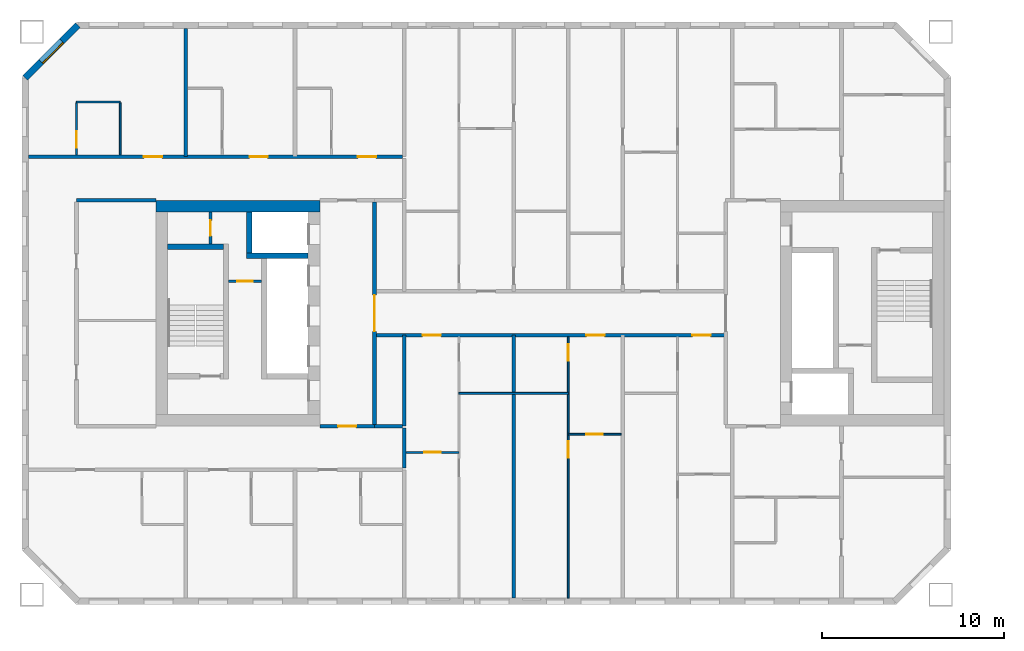
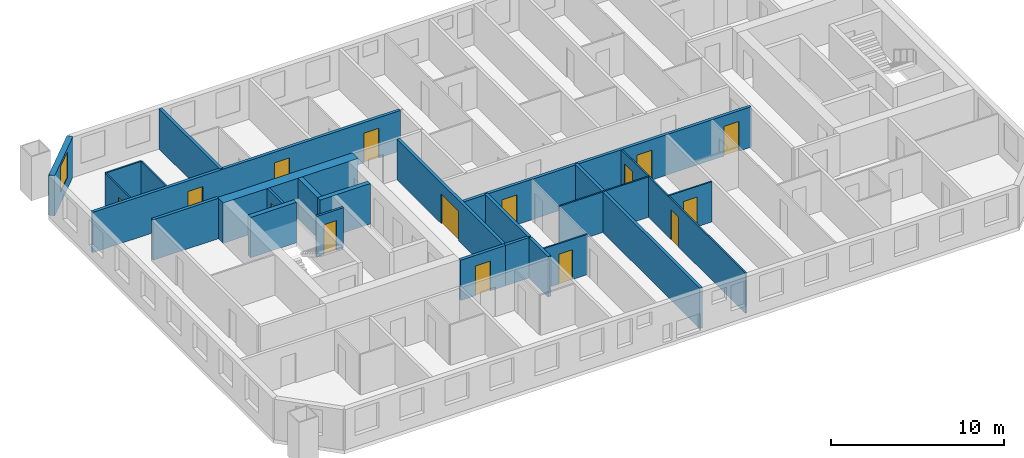
# One storey, part 4 of 16: 24 walls, 15 doors, 1 window, 16 openings.
"""IFC4 building model written with IfcOpenShell, lengths in metres."""

import ifcopenshell
import ifcopenshell.guid

model = None  # the IFC model being written
_history = None  # IfcOwnerHistory: only IFC2X3 demands one
_inside = {}  # id of a spatial element -> (the spatial element, [elements in it])
_under = {}  # id of a project, library or spatial element -> (it, [spatial elements below it])
_declared = {}  # id of a project -> (the project, [libraries it declares])
_typed = {}  # id of a type object -> (the type object, [elements of that type])
_made_of = {}  # id of a material, layer set ... -> (it, [elements and type objects made of it])


def new_model(schema):
    """Start an empty IFC model of exactly this schema.

    Asked for "IFC4X3", IfcOpenShell would pick the latest addendum, in which some entities
    have other attributes; the version numbers below select the first issue.
    IFC2X3 requires an IfcOwnerHistory on every rooted entity: one is made here for all.
    """
    global model, _history
    if schema == "IFC4X3":
        model = ifcopenshell.file(schema_version=(4, 3, 0, 0))
    else:
        model = ifcopenshell.file(schema=schema)
    _inside.clear()
    _under.clear()
    _declared.clear()
    _typed.clear()
    _made_of.clear()
    _history = None
    if model.schema == "IFC2X3":
        org = make("IfcOrganization", Name="unknown")
        user = make(
            "IfcPersonAndOrganization",
            ThePerson=make("IfcPerson", FamilyName="unknown"),
            TheOrganization=org,
        )
        app = make(
            "IfcApplication",
            ApplicationDeveloper=org,
            Version="unknown",
            ApplicationFullName="unknown",
            ApplicationIdentifier="unknown",
        )
        _history = make(
            "IfcOwnerHistory",
            OwningUser=user,
            OwningApplication=app,
            ChangeAction="ADDED",
            CreationDate=0,
        )
    return model


def make(cls, **values):
    """One entity of the class cls with the attributes given. An attribute that is None is left unset."""
    return model.create_entity(
        cls, **{name: value for name, value in values.items() if value is not None}
    )


def rooted(cls, **values):
    """An entity with a GlobalId (a new one), such as an element, a storey or a relation."""
    return make(cls, GlobalId=ifcopenshell.guid.new(), OwnerHistory=_history, **values)


def si_unit(unit_type, name, prefix=None):
    """IfcSIUnit, for example si_unit("LENGTHUNIT", "METRE", prefix="MILLI")."""
    return make("IfcSIUnit", UnitType=unit_type, Prefix=prefix, Name=name)


def assignment(units):
    """IfcUnitAssignment: the units of a project."""
    return None if units is None else make("IfcUnitAssignment", Units=units)


def point(xyz):
    """IfcCartesianPoint."""
    return None if xyz is None else make("IfcCartesianPoint", Coordinates=xyz)


def direction(xyz):
    """IfcDirection."""
    return None if xyz is None else make("IfcDirection", DirectionRatios=xyz)


def frame(location, z_axis=None, x_axis=None):
    """IfcAxis2Placement3D, a coordinate frame: its origin and axes. An axis left out is left unset."""
    return make(
        "IfcAxis2Placement3D",
        Location=point(location),
        Axis=direction(z_axis),
        RefDirection=direction(x_axis),
    )


def frame_2d(location, x_axis=None):
    """IfcAxis2Placement2D, a coordinate frame in the plane: its origin and x axis."""
    return make(
        "IfcAxis2Placement2D", Location=point(location), RefDirection=direction(x_axis)
    )


def origin():
    """The frame at (0, 0, 0) with its axes left unset."""
    return frame((0.0, 0.0, 0.0))


def place(relative_to, where):
    """IfcLocalPlacement: puts the frame where relative to a parent placement (None: the world)."""
    return make(
        "IfcLocalPlacement", PlacementRelTo=relative_to, RelativePlacement=where
    )


def context(
    kind, dimensions, precision=None, world=None, true_north=None, identifier=None
):
    """IfcGeometricRepresentationContext, for example the 3D "Model" context."""
    return make(
        "IfcGeometricRepresentationContext",
        ContextIdentifier=identifier,
        ContextType=kind,
        CoordinateSpaceDimension=dimensions,
        Precision=precision,
        WorldCoordinateSystem=world,
        TrueNorth=true_north,
    )


def subcontext(parent, identifier, kind, view, scale=None):
    """IfcGeometricRepresentationSubContext, for example "Body" below "Model"."""
    return make(
        "IfcGeometricRepresentationSubContext",
        ContextIdentifier=identifier,
        ContextType=kind,
        ParentContext=parent,
        TargetScale=scale,
        TargetView=view,
    )


def project(units=None, contexts=None):
    """IfcProject with its units and contexts."""
    return rooted(
        "IfcProject",
        Name="project",
        RepresentationContexts=contexts,
        UnitsInContext=assignment(units),
    )


def spatial(cls, under=None, at=None, **own):
    """A site, building, storey or space (cls), placed at a placement, below another one or the project."""
    s = rooted(cls, ObjectPlacement=at, **own)
    if under is not None:
        _under.setdefault(under.id(), (under, []))[1].append(s)
    return s


def profile(cls, at=None, kind="AREA", **sizes):
    """A parametric profile (cls). Its sizes go by their IFC names, for example OverallWidth=200.0."""
    return make(cls, ProfileType=kind, Position=at, **sizes)


def rectangle(**sizes):
    """IfcRectangleProfileDef."""
    return profile("IfcRectangleProfileDef", **sizes)


def extrude(swept, where, along, depth):
    """IfcExtrudedAreaSolid: the profile swept, set in the frame where, extruded along a direction by depth."""
    return make(
        "IfcExtrudedAreaSolid",
        SweptArea=swept,
        Position=where,
        ExtrudedDirection=direction(along),
        Depth=depth,
    )


def shape(context_of_items, identifier, shape_type, items):
    """IfcShapeRepresentation: the items that make up one representation, for example the "Body"."""
    return make(
        "IfcShapeRepresentation",
        ContextOfItems=context_of_items,
        RepresentationIdentifier=identifier,
        RepresentationType=shape_type,
        Items=items,
    )


def material(Name=None, Category=None):
    """IfcMaterial."""
    return make("IfcMaterial", Name=Name, Category=Category)


def layer(
    of_material, thickness, ventilated=None, Name=None, Category=None, Priority=None
):
    """IfcMaterialLayer: one layer of a wall or slab, of a material (None: an air gap)."""
    return make(
        "IfcMaterialLayer",
        Material=of_material,
        LayerThickness=thickness,
        IsVentilated=ventilated,
        Name=Name,
        Category=Category,
        Priority=Priority,
    )


def layer_set(layers, Name=None):
    """IfcMaterialLayerSet."""
    return make("IfcMaterialLayerSet", MaterialLayers=layers, LayerSetName=Name)


def made_of(thing, what):
    """Note that an element or type object is made of a material, layer set ...; save() writes the relation."""
    if what is not None:
        _made_of.setdefault(what.id(), (what, []))[1].append(thing)
    return thing


def type_object(cls, material=None, **own):
    """A type object (cls), such as IfcWallType, which elements share."""
    return made_of(rooted(cls, **own), material)


def element(
    cls,
    number,
    at=None,
    inside=None,
    cuts=None,
    type_object=None,
    material=None,
    context=None,
    identifier="Body",
    shape_type=None,
    held_by="IfcProductDefinitionShape",
    body=None,
    shapes=None,
    **own,
):
    """One element of the class cls, such as IfcWall. Its Tag is "e" and its number.

    at: its placement. inside: the storey or other place that contains it. cuts: it is an
    opening in that element (IfcRelVoidsElement). A single representation is given by context,
    identifier, shape_type and body (its items); several are given by shapes. held_by: the class
    of the entity that holds the representations. save() writes the other relations.
    """
    e = rooted(cls, Tag="e%d" % number, ObjectPlacement=at, **own)
    if body is not None:
        shapes = [shape(context, identifier, shape_type, body)]
    if shapes is not None:
        e.Representation = make(held_by, Representations=shapes)
    if inside is not None:
        _inside.setdefault(inside.id(), (inside, []))[1].append(e)
    if cuts is not None:
        rooted(
            "IfcRelVoidsElement", RelatingBuildingElement=cuts, RelatedOpeningElement=e
        )
    if type_object is not None:
        _typed.setdefault(type_object.id(), (type_object, []))[1].append(e)
    return made_of(e, material)


def fill(opening, filler):
    """IfcRelFillsElement: the door or window that sits in an opening."""
    return rooted(
        "IfcRelFillsElement",
        RelatingOpeningElement=opening,
        RelatedBuildingElement=filler,
    )


def aggregate(whole, parts):
    """IfcRelAggregates: a whole, such as a stair, and the parts it consists of."""
    return rooted("IfcRelAggregates", RelatingObject=whole, RelatedObjects=parts)


def save(model, path):
    """Write the relations noted so far, then the file.

    IfcRelAggregates (storeys below a building ...), IfcRelContainedInSpatialStructure (elements
    in a storey), IfcRelDefinesByType, IfcRelAssociatesMaterial and IfcRelDeclares: one each for
    every whole, place, type object, material and project.
    """
    for whole, parts in _under.values():
        aggregate(whole, parts)
    for where, things in _inside.values():
        rooted(
            "IfcRelContainedInSpatialStructure",
            RelatedElements=things,
            RelatingStructure=where,
        )
    for kind, things in _typed.values():
        rooted("IfcRelDefinesByType", RelatedObjects=things, RelatingType=kind)
    for what, things in _made_of.values():
        rooted("IfcRelAssociatesMaterial", RelatedObjects=things, RelatingMaterial=what)
    for by, libraries in _declared.values():
        rooted("IfcRelDeclares", RelatingContext=by, RelatedDefinitions=libraries)
    model.write(path)


model = new_model("IFC4")

# Units and contexts
model_context = context("Model", 3, precision=1e-05, world=origin(), true_north=direction((0.0, 1.0)))
body_context = subcontext(model_context, "Body", "Model", "MODEL_VIEW")
ifc_project = project(units=[si_unit("LENGTHUNIT", "METRE"), si_unit("AREAUNIT", "SQUARE_METRE"), si_unit("VOLUMEUNIT", "CUBIC_METRE"), si_unit("PLANEANGLEUNIT", "RADIAN"), si_unit("MASSUNIT", "GRAM", prefix="KILO")], contexts=[model_context])

# Site, building, storey
site_placement = place(None, origin())
site = spatial("IfcSite", under=ifc_project, at=site_placement, CompositionType="ELEMENT")
building_placement = place(site_placement, origin())
building = spatial("IfcBuilding", under=site, at=building_placement, Name="Tuart Gate Housing", CompositionType="ELEMENT")
storey_placement = place(building_placement, frame((0.0, 0.0, 111.89990234375)))
storey = spatial("IfcBuildingStorey", under=building, at=storey_placement, Name="L31", CompositionType="ELEMENT", Elevation=111.89990234375)

# Wall, opening, window
ifc_material_1 = material(Name="Brick", Category="masonry")
ifc_layer_1 = layer(ifc_material_1, 0.360107421875)
ifc_layer_set_1 = layer_set([ifc_layer_1], Name="Brick pier and spandrel wall 360")
wall_type_1 = type_object("IfcWallType", Name="Brick pier and spandrel wall 360", PredefinedType="STANDARD", material=ifc_layer_set_1)
wall_1_placement = place(storey_placement, frame((28.07470703125, 85.820068359375, 0.0), z_axis=(0.0, 0.0, 1.0), x_axis=(-0.707106781187, -0.707106781187, 0.0)))
wall_1 = element("IfcWall", 1, at=wall_1_placement, inside=storey, type_object=wall_type_1, Name="External wall A-NW L31", PredefinedType="STANDARD", context=body_context, shape_type="SweptSolid", body=[
    extrude(rectangle(XDim=4.09375, YDim=0.360107421875, at=frame_2d((2.046875, 0.0))), origin(), (0.0, 0.0, 1.0), 2.85009765625),
])
opening_1_placement = place(wall_1_placement, frame((1.2470703125, 0.0, 0.800048828125)))
opening_1 = element("IfcOpeningElement", 2, at=opening_1_placement, cuts=wall_1, Name="Opening W1", PredefinedType="OPENING", context=body_context, shape_type="SweptSolid", body=[
    extrude(rectangle(XDim=1.60009765625, YDim=1.800048828125, at=frame_2d((0.800048828125, 0.89990234375))), frame((0.0, 0.18994140625, 0.0), z_axis=(0.0, -1.0, 0.0), x_axis=(1.0, 0.0, 0.0)), (0.0, 0.0, 1.0), 0.380126953125),
])
ifc_material_2 = material(Name="Aluminium frame with clear glass", Category="aluminium")
window_type = type_object("IfcWindowType", Name="Punched window 1600 x 1800", PartitioningType="SINGLE_PANEL", PredefinedType="WINDOW", material=ifc_material_2)
window_placement = place(opening_1_placement, origin())
window = element("IfcWindow", 3, at=window_placement, inside=storey, type_object=window_type, Name="Window W1", OverallHeight=1.800048828125, OverallWidth=1.60009765625, PartitioningType="SINGLE_PANEL", PredefinedType="WINDOW", context=body_context, shape_type="SweptSolid", body=[
    extrude(rectangle(XDim=1.60009765625, YDim=1.800048828125, at=frame_2d((0.800048828125, 0.89990234375))), frame((0.0, 0.150146484375, 0.0), z_axis=(0.0, -1.0, 0.0), x_axis=(1.0, 0.0, 0.0)), (0.0, 0.0, 1.0), 0.06005859375),
])
fill(opening_1, window)

# Wall, opening, door
ifc_material_3 = material(Name="Plasterboard partition")
ifc_layer_2 = layer(ifc_material_3, 0.14990234375)
ifc_layer_set_2 = layer_set([ifc_layer_2], Name="Core partition 150")
wall_type_2 = type_object("IfcWallType", Name="Core partition 150", PredefinedType="PARTITIONING", material=ifc_layer_set_2)
wall_2_placement = place(storey_placement, frame((38.159912109375, 71.75, 0.0), z_axis=(0.0, 0.0, 1.0), x_axis=(-1.0, 0.0, 0.0)))
wall_2 = element("IfcWall", 4, at=wall_2_placement, inside=storey, type_object=wall_type_2, Name="Core partition AK.3", PredefinedType="PARTITIONING", context=body_context, shape_type="SweptSolid", body=[
    extrude(rectangle(XDim=1.7998046875, YDim=0.14990234375, at=frame_2d((0.89990234375, 0.0))), origin(), (0.0, 0.0, 1.0), 2.85009765625),
])
opening_2_placement = place(wall_2_placement, frame((0.47509765625, 0.0, 0.0)))
opening_2 = element("IfcOpeningElement", 5, at=opening_2_placement, cuts=wall_2, Name="Opening D1202", PredefinedType="OPENING", context=body_context, shape_type="SweptSolid", body=[
    extrude(rectangle(XDim=0.85009765625, YDim=2.10009765625, at=frame_2d((0.425048828125, 1.050048828125))), frame((0.0, 0.0849609375, 0.0), z_axis=(0.0, -1.0, 0.0), x_axis=(1.0, 0.0, 0.0)), (0.0, 0.0, 1.0), 0.169921875),
])
ifc_material_4 = material(Name="Steel fire door", Category="steel")
door_type_1 = type_object("IfcDoorType", Name="Riser door 850 x 2100 RH", OperationType="SINGLE_SWING_RIGHT", PredefinedType="DOOR", material=ifc_material_4)
door_1_placement = place(opening_2_placement, frame((0.85009765625, 0.0, 0.0), z_axis=(0.0, 0.0, 1.0), x_axis=(-1.0, 0.0, 0.0)))
door_1 = element("IfcDoor", 6, at=door_1_placement, inside=storey, type_object=door_type_1, Name="Service room door AK.E1", OperationType="SINGLE_SWING_RIGHT", OverallHeight=2.10009765625, OverallWidth=0.85009765625, PredefinedType="DOOR", context=body_context, shape_type="SweptSolid", body=[
    extrude(rectangle(XDim=0.85009765625, YDim=2.10009765625, at=frame_2d((0.425048828125, 1.050048828125))), frame((0.0, 0.025146484375, 0.0), z_axis=(0.0, -1.0, 0.0), x_axis=(1.0, 0.0, 0.0)), (0.0, 0.0, 1.0), 0.050048828125),
])
fill(opening_2, door_1)

wall_3_placement = place(storey_placement, frame((35.360107421875, 75.550048828125, 0.0), z_axis=(0.0, 0.0, 1.0), x_axis=(0.0, -1.0, 0.0)))
wall_3 = element("IfcWall", 7, at=wall_3_placement, inside=storey, type_object=wall_type_2, Name="Core partition AK.9", PredefinedType="PARTITIONING", context=body_context, shape_type="SweptSolid", body=[
    extrude(rectangle(XDim=1.75, YDim=0.14990234375, at=frame_2d((0.875, 0.0))), origin(), (0.0, 0.0, 1.0), 2.85009765625),
])
opening_3_placement = place(wall_3_placement, frame((0.449951171875, 0.0, 0.0)))
opening_3 = element("IfcOpeningElement", 8, at=opening_3_placement, cuts=wall_3, Name="Opening D1200", PredefinedType="OPENING", context=body_context, shape_type="SweptSolid", body=[
    extrude(rectangle(XDim=0.85009765625, YDim=2.10009765625, at=frame_2d((0.425048828125, 1.050048828125))), frame((0.0, 0.0849609375, 0.0), z_axis=(0.0, -1.0, 0.0), x_axis=(1.0, 0.0, 0.0)), (0.0, 0.0, 1.0), 0.169921875),
])
ifc_material_5 = material(Name="Steel fire door", Category="steel")
door_type_2 = type_object("IfcDoorType", Name="Service door 850 x 2100", OperationType="SINGLE_SWING_LEFT", PredefinedType="DOOR", material=ifc_material_5)
door_2_placement = place(opening_3_placement, origin())
door_2 = element("IfcDoor", 9, at=door_2_placement, inside=storey, type_object=door_type_2, Name="Service room door AK.E2", OperationType="SINGLE_SWING_LEFT", OverallHeight=2.10009765625, OverallWidth=0.85009765625, PredefinedType="DOOR", context=body_context, shape_type="SweptSolid", body=[
    extrude(rectangle(XDim=0.85009765625, YDim=2.10009765625, at=frame_2d((0.425048828125, 1.050048828125))), frame((0.0, 0.02490234375, 0.0), z_axis=(0.0, -1.0, 0.0), x_axis=(1.0, 0.0, 0.0)), (0.0, 0.0, 1.0), 0.050048828125),
])
fill(opening_3, door_2)

# Walls
ifc_material_6 = material(Name="Concrete C50", Category="concrete")
ifc_layer_3 = layer(ifc_material_6, 0.300048828125)
ifc_layer_set_3 = layer_set([ifc_layer_3], Name="Core wall 300 C50")
wall_type_3 = type_object("IfcWallType", Name="Core wall 300 C50", PredefinedType="SHEAR", material=ifc_layer_set_3)
wall_4_placement = place(storey_placement, frame((36.06005859375, 73.64990234375, 0.0), z_axis=(0.0, 0.0, 1.0), x_axis=(-1.0, 0.0, 0.0)))
element("IfcWall", 10, at=wall_4_placement, inside=storey, type_object=wall_type_3, Name="Core wall AK.1", PredefinedType="SHEAR", context=body_context, shape_type="SweptSolid", body=[
    extrude(rectangle(XDim=3.050048828125, YDim=0.300048828125, at=frame_2d((1.52490234375, 0.0))), origin(), (0.0, 0.0, 1.0), 2.85009765625),
])
wall_5_placement = place(storey_placement, frame((40.7099609375, 73.14990234375, 0.0), z_axis=(0.0, 0.0, 1.0), x_axis=(-1.0, 0.0, 0.0)))
element("IfcWall", 11, at=wall_5_placement, inside=storey, type_object=wall_type_3, Name="Core wall AK.2", PredefinedType="SHEAR", context=body_context, shape_type="SweptSolid", body=[
    extrude(rectangle(XDim=3.369873046875, YDim=0.300048828125, at=frame_2d((1.68505859375, 0.0))), origin(), (0.0, 0.0, 1.0), 2.85009765625),
])
wall_6_placement = place(storey_placement, frame((37.489990234375, 75.550048828125, 0.0), z_axis=(0.0, 0.0, 1.0), x_axis=(0.0, -1.0, 0.0)))
element("IfcWall", 12, at=wall_6_placement, inside=storey, type_object=wall_type_3, Name="Core wall AK.7", PredefinedType="SHEAR", context=body_context, shape_type="SweptSolid", body=[
    extrude(rectangle(XDim=2.25, YDim=0.300048828125, at=frame_2d((1.125, 0.0))), origin(), (0.0, 0.0, 1.0), 2.85009765625),
])
ifc_material_7 = material(Name="Concrete C50", Category="concrete")
ifc_layer_4 = layer(ifc_material_7, 0.64990234375)
ifc_layer_set_4 = layer_set([ifc_layer_4], Name="Core wall 650 C50")
wall_type_4 = type_object("IfcWallType", Name="Core wall 650 C50", PredefinedType="SHEAR", material=ifc_layer_set_4)
wall_7_placement = place(storey_placement, frame((41.360107421875, 75.875, 0.0), z_axis=(0.0, 0.0, 1.0), x_axis=(-1.0, 0.0, 0.0)))
element("IfcWall", 13, at=wall_7_placement, inside=storey, type_object=wall_type_4, Name="Core wall AK south", PredefinedType="SHEAR", context=body_context, shape_type="SweptSolid", body=[
    extrude(rectangle(XDim=9.0, YDim=0.64990234375, at=frame_2d((4.5, 0.0))), origin(), (0.0, 0.0, 1.0), 2.85009765625),
])
ifc_material_8 = material(Name="Concrete masonry 15 MPa", Category="masonry")
ifc_layer_5 = layer(ifc_material_8, 0.199951171875)
ifc_layer_set_5 = layer_set([ifc_layer_5], Name="Corridor wall masonry 200")
wall_type_5 = type_object("IfcWallType", Name="Corridor wall masonry 200", PredefinedType="PARTITIONING", material=ifc_layer_set_5)
wall_8_placement = place(storey_placement, frame((44.360107421875, 63.800048828125, 0.0), z_axis=(0.0, 0.0, 1.0), x_axis=(1.0, 0.0, 0.0)))
element("IfcWall", 14, at=wall_8_placement, inside=storey, type_object=wall_type_5, Name="Corridor wall masonry 200", PredefinedType="PARTITIONING", context=body_context, shape_type="SweptSolid", body=[
    extrude(rectangle(XDim=1.539794921875, YDim=0.199951171875, at=frame_2d((0.77001953125, 0.0))), origin(), (0.0, 0.0, 1.0), 2.85009765625),
])

# Wall, openings, doors
wall_9_placement = place(storey_placement, frame((44.360107421875, 68.800048828125, 0.0), z_axis=(0.0, 0.0, 1.0), x_axis=(1.0, 0.0, 0.0)))
wall_9 = element("IfcWall", 15, at=wall_9_placement, inside=storey, type_object=wall_type_5, Name="Corridor wall masonry 200", PredefinedType="PARTITIONING", context=body_context, shape_type="SweptSolid", body=[
    extrude(rectangle(XDim=19.27978515625, YDim=0.199951171875, at=frame_2d((9.639892578125, 0.0))), origin(), (0.0, 0.0, 1.0), 2.85009765625),
])
opening_4_placement = place(wall_9_placement, frame((17.4599609375, 0.0, 0.0)))
opening_4 = element("IfcOpeningElement", 16, at=opening_4_placement, cuts=wall_9, Name="Opening D1211", PredefinedType="OPENING", context=body_context, shape_type="SweptSolid", body=[
    extrude(rectangle(XDim=1.0, YDim=2.10009765625, at=frame_2d((0.5, 1.050048828125))), frame((0.0, 0.10986328125, 0.0), z_axis=(0.0, -1.0, 0.0), x_axis=(1.0, 0.0, 0.0)), (0.0, 0.0, 1.0), 0.219970703125),
])
opening_5_placement = place(wall_9_placement, frame((11.639892578125, 0.0, 0.0)))
opening_5 = element("IfcOpeningElement", 17, at=opening_5_placement, cuts=wall_9, Name="Opening D1212", PredefinedType="OPENING", context=body_context, shape_type="SweptSolid", body=[
    extrude(rectangle(XDim=1.0, YDim=2.10009765625, at=frame_2d((0.5, 1.050048828125))), frame((0.0, 0.10986328125, 0.0), z_axis=(0.0, -1.0, 0.0), x_axis=(1.0, 0.0, 0.0)), (0.0, 0.0, 1.0), 0.219970703125),
])
opening_6_placement = place(wall_9_placement, frame((2.639892578125, 0.0, 0.0)))
opening_6 = element("IfcOpeningElement", 18, at=opening_6_placement, cuts=wall_9, Name="Opening D1213", PredefinedType="OPENING", context=body_context, shape_type="SweptSolid", body=[
    extrude(rectangle(XDim=1.0, YDim=2.10009765625, at=frame_2d((0.5, 1.050048828125))), frame((0.0, 0.10986328125, 0.0), z_axis=(0.0, -1.0, 0.0), x_axis=(1.0, 0.0, 0.0)), (0.0, 0.0, 1.0), 0.219970703125),
])
ifc_material_9 = material(Name="Timber door leaf in steel frame", Category="steel")
door_type_3 = type_object("IfcDoorType", Name="Flat entrance door 1000 RH", OperationType="SINGLE_SWING_RIGHT", PredefinedType="DOOR", material=ifc_material_9)
door_3_placement = place(opening_4_placement, frame((1.0, 0.0, 0.0), z_axis=(0.0, 0.0, 1.0), x_axis=(-1.0, 0.0, 0.0)))
door_3 = element("IfcDoor", 19, at=door_3_placement, inside=storey, type_object=door_type_3, Name="Flat entrance door", OperationType="SINGLE_SWING_RIGHT", OverallHeight=2.10009765625, OverallWidth=1.0, PredefinedType="DOOR", context=body_context, shape_type="SweptSolid", body=[
    extrude(rectangle(XDim=1.0, YDim=2.10009765625, at=frame_2d((0.5, 1.050048828125))), frame((0.0, 0.025146484375, 0.0), z_axis=(0.0, -1.0, 0.0), x_axis=(1.0, 0.0, 0.0)), (0.0, 0.0, 1.0), 0.050048828125),
])
fill(opening_4, door_3)
door_4_placement = place(opening_5_placement, frame((1.0, 0.0, 0.0), z_axis=(0.0, 0.0, 1.0), x_axis=(-1.0, 0.0, 0.0)))
door_4 = element("IfcDoor", 20, at=door_4_placement, inside=storey, type_object=door_type_3, Name="Flat entrance door", OperationType="SINGLE_SWING_RIGHT", OverallHeight=2.10009765625, OverallWidth=1.0, PredefinedType="DOOR", context=body_context, shape_type="SweptSolid", body=[
    extrude(rectangle(XDim=1.0, YDim=2.10009765625, at=frame_2d((0.5, 1.050048828125))), frame((0.0, 0.025146484375, 0.0), z_axis=(0.0, -1.0, 0.0), x_axis=(1.0, 0.0, 0.0)), (0.0, 0.0, 1.0), 0.050048828125),
])
fill(opening_5, door_4)
door_5_placement = place(opening_6_placement, frame((1.0, 0.0, 0.0), z_axis=(0.0, 0.0, 1.0), x_axis=(-1.0, 0.0, 0.0)))
door_5 = element("IfcDoor", 21, at=door_5_placement, inside=storey, type_object=door_type_3, Name="Flat entrance door", OperationType="SINGLE_SWING_RIGHT", OverallHeight=2.10009765625, OverallWidth=1.0, PredefinedType="DOOR", context=body_context, shape_type="SweptSolid", body=[
    extrude(rectangle(XDim=1.0, YDim=2.10009765625, at=frame_2d((0.5, 1.050048828125))), frame((0.0, 0.025146484375, 0.0), z_axis=(0.0, -1.0, 0.0), x_axis=(1.0, 0.0, 0.0)), (0.0, 0.0, 1.0), 0.050048828125),
])
fill(opening_6, door_5)

# Wall
wall_10_placement = place(storey_placement, frame((28.0, 76.199951171875, 0.0), z_axis=(0.0, 0.0, 1.0), x_axis=(1.0, 0.0, 0.0)))
element("IfcWall", 22, at=wall_10_placement, inside=storey, type_object=wall_type_5, Name="Corridor wall masonry 200", PredefinedType="PARTITIONING", context=body_context, shape_type="SweptSolid", body=[
    extrude(rectangle(XDim=4.360107421875, YDim=0.199951171875, at=frame_2d((2.18017578125, 0.0))), origin(), (0.0, 0.0, 1.0), 2.85009765625),
])

# Wall, openings, doors
wall_11_placement = place(storey_placement, frame((25.360107421875, 78.60009765625, 0.0), z_axis=(0.0, 0.0, 1.0), x_axis=(1.0, 0.0, 0.0)))
wall_11 = element("IfcWall", 23, at=wall_11_placement, inside=storey, type_object=wall_type_5, Name="Corridor wall masonry 200", PredefinedType="PARTITIONING", context=body_context, shape_type="SweptSolid", body=[
    extrude(rectangle(XDim=20.539794921875, YDim=0.199951171875, at=frame_2d((10.27001953125, 0.0))), origin(), (0.0, 0.0, 1.0), 2.85009765625),
])
opening_7_placement = place(wall_11_placement, frame((18.090087890625, 0.0, 0.0)))
opening_7 = element("IfcOpeningElement", 24, at=opening_7_placement, cuts=wall_11, Name="Opening D1187", PredefinedType="OPENING", context=body_context, shape_type="SweptSolid", body=[
    extrude(rectangle(XDim=1.0, YDim=2.10009765625, at=frame_2d((0.5, 1.050048828125))), frame((0.0, 0.10986328125, 0.0), z_axis=(0.0, -1.0, 0.0), x_axis=(1.0, 0.0, 0.0)), (0.0, 0.0, 1.0), 0.219970703125),
])
opening_8_placement = place(wall_11_placement, frame((12.139892578125, 0.0, 0.0)))
opening_8 = element("IfcOpeningElement", 25, at=opening_8_placement, cuts=wall_11, Name="Opening D1188", PredefinedType="OPENING", context=body_context, shape_type="SweptSolid", body=[
    extrude(rectangle(XDim=1.0, YDim=2.10009765625, at=frame_2d((0.5, 1.050048828125))), frame((0.0, 0.10986328125, 0.0), z_axis=(0.0, -1.0, 0.0), x_axis=(1.0, 0.0, 0.0)), (0.0, 0.0, 1.0), 0.219970703125),
])
opening_9_placement = place(wall_11_placement, frame((6.340087890625, 0.0, 0.0)))
opening_9 = element("IfcOpeningElement", 26, at=opening_9_placement, cuts=wall_11, Name="Opening D1189", PredefinedType="OPENING", context=body_context, shape_type="SweptSolid", body=[
    extrude(rectangle(XDim=1.0, YDim=2.10009765625, at=frame_2d((0.5, 1.050048828125))), frame((0.0, 0.10986328125, 0.0), z_axis=(0.0, -1.0, 0.0), x_axis=(1.0, 0.0, 0.0)), (0.0, 0.0, 1.0), 0.219970703125),
])
ifc_material_10 = material(Name="Timber door leaf in steel frame", Category="steel")
door_type_4 = type_object("IfcDoorType", Name="Flat entrance door 1000", OperationType="SINGLE_SWING_LEFT", PredefinedType="DOOR", material=ifc_material_10)
door_6_placement = place(opening_7_placement, origin())
door_6 = element("IfcDoor", 27, at=door_6_placement, inside=storey, type_object=door_type_4, Name="Flat entrance door", OperationType="SINGLE_SWING_LEFT", OverallHeight=2.10009765625, OverallWidth=1.0, PredefinedType="DOOR", context=body_context, shape_type="SweptSolid", body=[
    extrude(rectangle(XDim=1.0, YDim=2.10009765625, at=frame_2d((0.5, 1.050048828125))), frame((0.0, 0.02490234375, 0.0), z_axis=(0.0, -1.0, 0.0), x_axis=(1.0, 0.0, 0.0)), (0.0, 0.0, 1.0), 0.050048828125),
])
fill(opening_7, door_6)
door_7_placement = place(opening_8_placement, origin())
door_7 = element("IfcDoor", 28, at=door_7_placement, inside=storey, type_object=door_type_4, Name="Flat entrance door", OperationType="SINGLE_SWING_LEFT", OverallHeight=2.10009765625, OverallWidth=1.0, PredefinedType="DOOR", context=body_context, shape_type="SweptSolid", body=[
    extrude(rectangle(XDim=1.0, YDim=2.10009765625, at=frame_2d((0.5, 1.050048828125))), frame((0.0, 0.02490234375, 0.0), z_axis=(0.0, -1.0, 0.0), x_axis=(1.0, 0.0, 0.0)), (0.0, 0.0, 1.0), 0.050048828125),
])
fill(opening_8, door_7)
door_8_placement = place(opening_9_placement, origin())
door_8 = element("IfcDoor", 29, at=door_8_placement, inside=storey, type_object=door_type_4, Name="Flat entrance door", OperationType="SINGLE_SWING_LEFT", OverallHeight=2.10009765625, OverallWidth=1.0, PredefinedType="DOOR", context=body_context, shape_type="SweptSolid", body=[
    extrude(rectangle(XDim=1.0, YDim=2.10009765625, at=frame_2d((0.5, 1.050048828125))), frame((0.0, 0.02490234375, 0.0), z_axis=(0.0, -1.0, 0.0), x_axis=(1.0, 0.0, 0.0)), (0.0, 0.0, 1.0), 0.050048828125),
])
fill(opening_9, door_8)

# Wall
wall_12_placement = place(storey_placement, frame((46.0, 61.5, 0.0), z_axis=(0.0, 0.0, 1.0), x_axis=(0.0, 1.0, 0.0)))
element("IfcWall", 30, at=wall_12_placement, inside=storey, type_object=wall_type_5, Name="Corridor wall masonry 200", PredefinedType="PARTITIONING", context=body_context, shape_type="SweptSolid", body=[
    extrude(rectangle(XDim=2.199951171875, YDim=0.199951171875, at=frame_2d((1.10009765625, 0.0))), origin(), (0.0, 0.0, 1.0), 2.85009765625),
])

# Wall, opening, door
ifc_material_11 = material(Name="Concrete masonry 15 MPa", Category="masonry")
ifc_layer_6 = layer(ifc_material_11, 0.199951171875)
ifc_layer_set_6 = layer_set([ifc_layer_6], Name="Enclosure wall masonry 200")
wall_type_6 = type_object("IfcWallType", Name="Enclosure wall masonry 200", PredefinedType="PARTITIONING", material=ifc_layer_set_6)
wall_13_placement = place(storey_placement, frame((41.360107421875, 63.800048828125, 0.0), z_axis=(0.0, 0.0, 1.0), x_axis=(1.0, 0.0, 0.0)))
wall_13 = element("IfcWall", 31, at=wall_13_placement, inside=storey, type_object=wall_type_6, Name="Enclosure wall masonry 200", PredefinedType="PARTITIONING", context=body_context, shape_type="SweptSolid", body=[
    extrude(rectangle(XDim=3.0, YDim=0.199951171875, at=frame_2d((1.5, 0.0))), origin(), (0.0, 0.0, 1.0), 2.85009765625),
])
opening_10_placement = place(wall_13_placement, frame((1.0, 0.0, 0.0)))
opening_10 = element("IfcOpeningElement", 32, at=opening_10_placement, cuts=wall_13, Name="Opening D1216", PredefinedType="OPENING", context=body_context, shape_type="SweptSolid", body=[
    extrude(rectangle(XDim=1.0, YDim=2.10009765625, at=frame_2d((0.5, 1.050048828125))), frame((0.0, 0.10986328125, 0.0), z_axis=(0.0, -1.0, 0.0), x_axis=(1.0, 0.0, 0.0)), (0.0, 0.0, 1.0), 0.219970703125),
])
ifc_material_12 = material(Name="Timber door leaf in steel frame", Category="steel")
door_type_5 = type_object("IfcDoorType", Name="Fire door 1000", OperationType="SINGLE_SWING_LEFT", PredefinedType="DOOR", material=ifc_material_12)
door_9_placement = place(opening_10_placement, frame((1.0, 0.0, 0.0), z_axis=(0.0, 0.0, 1.0), x_axis=(-1.0, 0.0, 0.0)))
door_9 = element("IfcDoor", 33, at=door_9_placement, inside=storey, type_object=door_type_5, Name="Fire door", OperationType="SINGLE_SWING_LEFT", OverallHeight=2.10009765625, OverallWidth=1.0, PredefinedType="DOOR", context=body_context, shape_type="SweptSolid", body=[
    extrude(rectangle(XDim=1.0, YDim=2.10009765625, at=frame_2d((0.5, 1.050048828125))), frame((0.0, 0.025146484375, 0.0), z_axis=(0.0, -1.0, 0.0), x_axis=(1.0, 0.0, 0.0)), (0.0, 0.0, 1.0), 0.050048828125),
])
fill(opening_10, door_9)

ifc_material_13 = material(Name="Plasterboard partition")
ifc_layer_7 = layer(ifc_material_13, 0.199951171875)
ifc_layer_set_7 = layer_set([ifc_layer_7], Name="Lobby wall 200")
wall_type_7 = type_object("IfcWallType", Name="Lobby wall 200", PredefinedType="PARTITIONING", material=ifc_layer_set_7)
wall_14_placement = place(storey_placement, frame((44.360107421875, 63.89990234375, 0.0), z_axis=(0.0, 0.0, 1.0), x_axis=(0.0, 1.0, 0.0)))
wall_14 = element("IfcWall", 34, at=wall_14_placement, inside=storey, type_object=wall_type_7, Name="Lift lobby wall AK", PredefinedType="PARTITIONING", context=body_context, shape_type="SweptSolid", body=[
    extrude(rectangle(XDim=12.2001953125, YDim=0.199951171875, at=frame_2d((6.10009765625, 0.0))), origin(), (0.0, 0.0, 1.0), 2.85009765625),
])
opening_11_placement = place(wall_14_placement, frame((5.10009765625, 0.0, 0.0)))
opening_11 = element("IfcOpeningElement", 35, at=opening_11_placement, cuts=wall_14, Name="Opening D1208", PredefinedType="OPENING", context=body_context, shape_type="SweptSolid", body=[
    extrude(rectangle(XDim=2.0, YDim=2.10009765625, at=frame_2d((1.0, 1.050048828125))), frame((0.0, 0.10986328125, 0.0), z_axis=(0.0, -1.0, 0.0), x_axis=(1.0, 0.0, 0.0)), (0.0, 0.0, 1.0), 0.219970703125),
])
ifc_material_14 = material(Name="Steel fire door", Category="steel")
door_type_6 = type_object("IfcDoorType", Name="Smoke door 2000 x 2100", OperationType="DOUBLE_DOOR_SINGLE_SWING", PredefinedType="DOOR", material=ifc_material_14)
door_10_placement = place(opening_11_placement, origin())
door_10 = element("IfcDoor", 36, at=door_10_placement, inside=storey, type_object=door_type_6, Name="Lift lobby smoke door AK", OperationType="DOUBLE_DOOR_SINGLE_SWING", OverallHeight=2.10009765625, OverallWidth=2.0, PredefinedType="DOOR", context=body_context, shape_type="SweptSolid", body=[
    extrude(rectangle(XDim=2.0, YDim=2.10009765625, at=frame_2d((1.0, 1.050048828125))), frame((0.0, 0.02490234375, 0.0), z_axis=(0.0, -1.0, 0.0), x_axis=(1.0, 0.0, 0.0)), (0.0, 0.0, 1.0), 0.050048828125),
])
fill(opening_11, door_10)

ifc_material_15 = material(Name="Gypsum board on steel studs", Category="steel")
ifc_layer_8 = layer(ifc_material_15, 0.10009765625)
ifc_layer_set_8 = layer_set([ifc_layer_8], Name="Partition 100")
wall_type_8 = type_object("IfcWallType", Name="Partition 100", PredefinedType="PARTITIONING", material=ifc_layer_set_8)
wall_15_placement = place(storey_placement, frame((46.10009765625, 62.360107421875, 0.0), z_axis=(0.0, 0.0, 1.0), x_axis=(1.0, 0.0, 0.0)))
wall_15 = element("IfcWall", 37, at=wall_15_placement, inside=storey, type_object=wall_type_8, Name="Partition 100", PredefinedType="PARTITIONING", context=body_context, shape_type="SweptSolid", body=[
    extrude(rectangle(XDim=2.89990234375, YDim=0.10009765625, at=frame_2d((1.449951171875, 0.0))), origin(), (0.0, 0.0, 1.0), 2.85009765625),
])
opening_12_placement = place(wall_15_placement, frame((1.0, 0.0, 0.0)))
opening_12 = element("IfcOpeningElement", 38, at=opening_12_placement, cuts=wall_15, Name="Opening D1219", PredefinedType="OPENING", context=body_context, shape_type="SweptSolid", body=[
    extrude(rectangle(XDim=0.89990234375, YDim=2.10009765625, at=frame_2d((0.449951171875, 1.050048828125))), frame((0.0, 0.06005859375, 0.0), z_axis=(0.0, -1.0, 0.0), x_axis=(1.0, 0.0, 0.0)), (0.0, 0.0, 1.0), 0.1201171875),
])
ifc_material_16 = material(Name="Timber door leaf in steel frame", Category="steel")
door_type_7 = type_object("IfcDoorType", Name="Internal door 900 RH", OperationType="SINGLE_SWING_RIGHT", PredefinedType="DOOR", material=ifc_material_16)
door_11_placement = place(opening_12_placement, origin())
door_11 = element("IfcDoor", 39, at=door_11_placement, inside=storey, type_object=door_type_7, Name="Internal door", OperationType="SINGLE_SWING_RIGHT", OverallHeight=2.10009765625, OverallWidth=0.89990234375, PredefinedType="DOOR", context=body_context, shape_type="SweptSolid", body=[
    extrude(rectangle(XDim=0.89990234375, YDim=2.10009765625, at=frame_2d((0.449951171875, 1.050048828125))), frame((0.0, 0.02490234375, 0.0), z_axis=(0.0, -1.0, 0.0), x_axis=(1.0, 0.0, 0.0)), (0.0, 0.0, 1.0), 0.050048828125),
])
fill(opening_12, door_11)

wall_16_placement = place(storey_placement, frame((55.0, 63.360107421875, 0.0), z_axis=(0.0, 0.0, 1.0), x_axis=(1.0, 0.0, 0.0)))
wall_16 = element("IfcWall", 40, at=wall_16_placement, inside=storey, type_object=wall_type_8, Name="Partition 100", PredefinedType="PARTITIONING", context=body_context, shape_type="SweptSolid", body=[
    extrude(rectangle(XDim=2.89990234375, YDim=0.10009765625, at=frame_2d((1.449951171875, 0.0))), origin(), (0.0, 0.0, 1.0), 2.85009765625),
])
opening_13_placement = place(wall_16_placement, frame((1.0, 0.0, 0.0)))
opening_13 = element("IfcOpeningElement", 41, at=opening_13_placement, cuts=wall_16, Name="Opening D1218", PredefinedType="OPENING", context=body_context, shape_type="SweptSolid", body=[
    extrude(rectangle(XDim=0.89990234375, YDim=2.10009765625, at=frame_2d((0.449951171875, 1.050048828125))), frame((0.0, 0.06005859375, 0.0), z_axis=(0.0, -1.0, 0.0), x_axis=(1.0, 0.0, 0.0)), (0.0, 0.0, 1.0), 0.1201171875),
])
ifc_material_17 = material(Name="Timber door leaf in steel frame", Category="steel")
door_type_8 = type_object("IfcDoorType", Name="Internal door 900", OperationType="SINGLE_SWING_LEFT", PredefinedType="DOOR", material=ifc_material_17)
door_12_placement = place(opening_13_placement, origin())
door_12 = element("IfcDoor", 42, at=door_12_placement, inside=storey, type_object=door_type_8, Name="Internal door", OperationType="SINGLE_SWING_LEFT", OverallHeight=2.10009765625, OverallWidth=0.89990234375, PredefinedType="DOOR", context=body_context, shape_type="SweptSolid", body=[
    extrude(rectangle(XDim=0.89990234375, YDim=2.10009765625, at=frame_2d((0.449951171875, 1.050048828125))), frame((0.0, 0.02490234375, 0.0), z_axis=(0.0, -1.0, 0.0), x_axis=(1.0, 0.0, 0.0)), (0.0, 0.0, 1.0), 0.050048828125),
])
fill(opening_13, door_12)

# Walls
wall_17_placement = place(storey_placement, frame((49.0, 65.60009765625, 0.0), z_axis=(0.0, 0.0, 1.0), x_axis=(1.0, 0.0, 0.0)))
element("IfcWall", 43, at=wall_17_placement, inside=storey, type_object=wall_type_8, Name="Partition 100", PredefinedType="PARTITIONING", context=body_context, shape_type="SweptSolid", body=[
    extrude(rectangle(XDim=6.0, YDim=0.10009765625, at=frame_2d((3.0, 0.0))), origin(), (0.0, 0.0, 1.0), 2.85009765625),
])
wall_18_placement = place(storey_placement, frame((28.0, 81.60009765625, 0.0), z_axis=(0.0, 0.0, 1.0), x_axis=(1.0, 0.0, 0.0)))
element("IfcWall", 44, at=wall_18_placement, inside=storey, type_object=wall_type_8, Name="Partition 100", PredefinedType="PARTITIONING", context=body_context, shape_type="SweptSolid", body=[
    extrude(rectangle(XDim=2.39990234375, YDim=0.10009765625, at=frame_2d((1.199951171875, 0.0))), origin(), (0.0, 0.0, 1.0), 2.85009765625),
])

# Wall, opening, door
wall_19_placement = place(storey_placement, frame((28.0, 78.699951171875, 0.0), z_axis=(0.0, 0.0, 1.0), x_axis=(0.0, 1.0, 0.0)))
wall_19 = element("IfcWall", 45, at=wall_19_placement, inside=storey, type_object=wall_type_8, Name="Partition 100", PredefinedType="PARTITIONING", context=body_context, shape_type="SweptSolid", body=[
    extrude(rectangle(XDim=2.85009765625, YDim=0.10009765625, at=frame_2d((1.425048828125, 0.0))), origin(), (0.0, 0.0, 1.0), 2.85009765625),
])
opening_14_placement = place(wall_19_placement, frame((0.39990234375, 0.0, 0.0)))
opening_14 = element("IfcOpeningElement", 46, at=opening_14_placement, cuts=wall_19, Name="Opening D1183", PredefinedType="OPENING", context=body_context, shape_type="SweptSolid", body=[
    extrude(rectangle(XDim=0.89990234375, YDim=2.10009765625, at=frame_2d((0.449951171875, 1.050048828125))), frame((0.0, 0.06005859375, 0.0), z_axis=(0.0, -1.0, 0.0), x_axis=(1.0, 0.0, 0.0)), (0.0, 0.0, 1.0), 0.1201171875),
])
ifc_material_18 = material(Name="Timber door leaf in steel frame", Category="steel")
door_type_9 = type_object("IfcDoorType", Name="Bathroom door 900 RH", OperationType="SINGLE_SWING_RIGHT", PredefinedType="DOOR", material=ifc_material_18)
door_13_placement = place(opening_14_placement, frame((0.89990234375, 0.0, 0.0), z_axis=(0.0, 0.0, 1.0), x_axis=(-1.0, 0.0, 0.0)))
door_13 = element("IfcDoor", 47, at=door_13_placement, inside=storey, type_object=door_type_9, Name="Bathroom door", OperationType="SINGLE_SWING_RIGHT", OverallHeight=2.10009765625, OverallWidth=0.89990234375, PredefinedType="DOOR", context=body_context, shape_type="SweptSolid", body=[
    extrude(rectangle(XDim=0.89990234375, YDim=2.10009765625, at=frame_2d((0.449951171875, 1.050048828125))), frame((0.0, 0.025146484375, 0.0), z_axis=(0.0, -1.0, 0.0), x_axis=(1.0, 0.0, 0.0)), (0.0, 0.0, 1.0), 0.050048828125),
])
fill(opening_14, door_13)

# Wall
wall_20_placement = place(storey_placement, frame((30.39990234375, 78.699951171875, 0.0), z_axis=(0.0, 0.0, 1.0), x_axis=(0.0, 1.0, 0.0)))
element("IfcWall", 48, at=wall_20_placement, inside=storey, type_object=wall_type_8, Name="Partition 100", PredefinedType="PARTITIONING", context=body_context, shape_type="SweptSolid", body=[
    extrude(rectangle(XDim=2.85009765625, YDim=0.10009765625, at=frame_2d((1.425048828125, 0.0))), origin(), (0.0, 0.0, 1.0), 2.85009765625),
])

# Wall, openings, doors
wall_21_placement = place(storey_placement, frame((55.0, 54.360107421875, 0.0), z_axis=(0.0, 0.0, 1.0), x_axis=(0.0, 1.0, 0.0)))
wall_21 = element("IfcWall", 49, at=wall_21_placement, inside=storey, type_object=wall_type_8, Name="Partition 100", PredefinedType="PARTITIONING", context=body_context, shape_type="SweptSolid", body=[
    extrude(rectangle(XDim=14.33984375, YDim=0.10009765625, at=frame_2d((7.169921875, 0.0))), origin(), (0.0, 0.0, 1.0), 2.85009765625),
])
opening_15_placement = place(wall_21_placement, frame((7.699951171875, 0.0, 0.0)))
opening_15 = element("IfcOpeningElement", 50, at=opening_15_placement, cuts=wall_21, Name="Opening D1223", PredefinedType="OPENING", context=body_context, shape_type="SweptSolid", body=[
    extrude(rectangle(XDim=0.89990234375, YDim=2.10009765625, at=frame_2d((0.449951171875, 1.050048828125))), frame((0.0, 0.06005859375, 0.0), z_axis=(0.0, -1.0, 0.0), x_axis=(1.0, 0.0, 0.0)), (0.0, 0.0, 1.0), 0.1201171875),
])
opening_16_placement = place(wall_21_placement, frame((13.0400390625, 0.0, 0.0)))
opening_16 = element("IfcOpeningElement", 51, at=opening_16_placement, cuts=wall_21, Name="Opening D1222", PredefinedType="OPENING", context=body_context, shape_type="SweptSolid", body=[
    extrude(rectangle(XDim=0.89990234375, YDim=2.10009765625, at=frame_2d((0.449951171875, 1.050048828125))), frame((0.0, 0.06005859375, 0.0), z_axis=(0.0, -1.0, 0.0), x_axis=(1.0, 0.0, 0.0)), (0.0, 0.0, 1.0), 0.1201171875),
])
door_14_placement = place(opening_16_placement, origin())
door_14 = element("IfcDoor", 52, at=door_14_placement, inside=storey, type_object=door_type_9, Name="Bathroom door", OperationType="SINGLE_SWING_RIGHT", OverallHeight=2.10009765625, OverallWidth=0.89990234375, PredefinedType="DOOR", context=body_context, shape_type="SweptSolid", body=[
    extrude(rectangle(XDim=0.89990234375, YDim=2.10009765625, at=frame_2d((0.449951171875, 1.050048828125))), frame((0.0, 0.02490234375, 0.0), z_axis=(0.0, -1.0, 0.0), x_axis=(1.0, 0.0, 0.0)), (0.0, 0.0, 1.0), 0.050048828125),
])
fill(opening_16, door_14)
door_15_placement = place(opening_15_placement, origin())
door_15 = element("IfcDoor", 53, at=door_15_placement, inside=storey, type_object=door_type_7, Name="Internal door", OperationType="SINGLE_SWING_RIGHT", OverallHeight=2.10009765625, OverallWidth=0.89990234375, PredefinedType="DOOR", context=body_context, shape_type="SweptSolid", body=[
    extrude(rectangle(XDim=0.89990234375, YDim=2.10009765625, at=frame_2d((0.449951171875, 1.050048828125))), frame((0.0, 0.02490234375, 0.0), z_axis=(0.0, -1.0, 0.0), x_axis=(1.0, 0.0, 0.0)), (0.0, 0.0, 1.0), 0.050048828125),
])
fill(opening_15, door_15)

# Walls
ifc_material_19 = material(Name="Concrete C40", Category="concrete")
ifc_layer_9 = layer(ifc_material_19, 0.199951171875)
ifc_layer_set_9 = layer_set([ifc_layer_9], Name="Party wall concrete C40 200")
wall_type_9 = type_object("IfcWallType", Name="Party wall concrete C40 200", PredefinedType="SOLIDWALL", material=ifc_layer_set_9)
wall_22_placement = place(storey_placement, frame((34.0, 78.60009765625, 0.0), z_axis=(0.0, 0.0, 1.0), x_axis=(0.0, 1.0, 0.0)))
element("IfcWall", 54, at=wall_22_placement, inside=storey, type_object=wall_type_9, Name="Party wall concrete C40 200", PredefinedType="SOLIDWALL", context=body_context, shape_type="SweptSolid", body=[
    extrude(rectangle(XDim=7.039794921875, YDim=0.199951171875, at=frame_2d((3.52001953125, 0.0))), origin(), (0.0, 0.0, 1.0), 2.85009765625),
])
wall_23_placement = place(storey_placement, frame((46.0, 63.800048828125, 0.0), z_axis=(0.0, 0.0, 1.0), x_axis=(0.0, 1.0, 0.0)))
element("IfcWall", 55, at=wall_23_placement, inside=storey, type_object=wall_type_9, Name="Party wall concrete C40 200", PredefinedType="SOLIDWALL", context=body_context, shape_type="SweptSolid", body=[
    extrude(rectangle(XDim=5.0, YDim=0.199951171875, at=frame_2d((2.5, 0.0))), origin(), (0.0, 0.0, 1.0), 2.85009765625),
])
wall_24_placement = place(storey_placement, frame((52.0, 54.360107421875, 0.0), z_axis=(0.0, 0.0, 1.0), x_axis=(0.0, 1.0, 0.0)))
element("IfcWall", 56, at=wall_24_placement, inside=storey, type_object=wall_type_9, Name="Party wall concrete C40 200", PredefinedType="SOLIDWALL", context=body_context, shape_type="SweptSolid", body=[
    extrude(rectangle(XDim=14.43994140625, YDim=0.199951171875, at=frame_2d((7.219970703125, 0.0))), origin(), (0.0, 0.0, 1.0), 2.85009765625),
])

save(model, "model.ifc")
